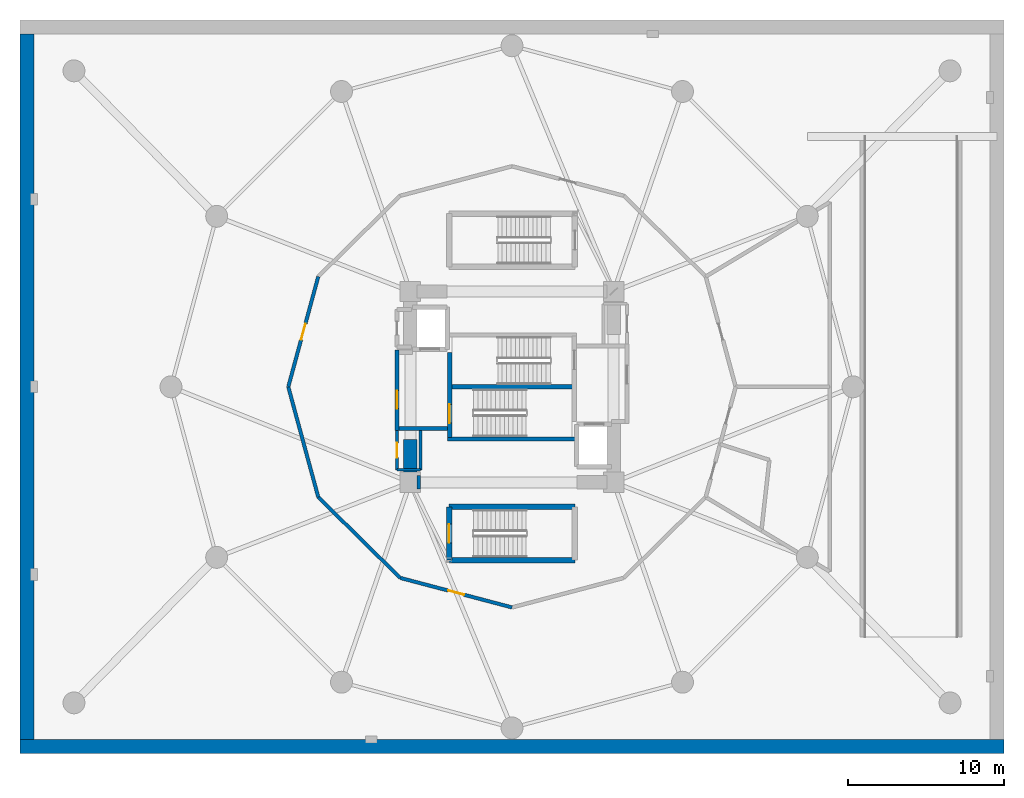
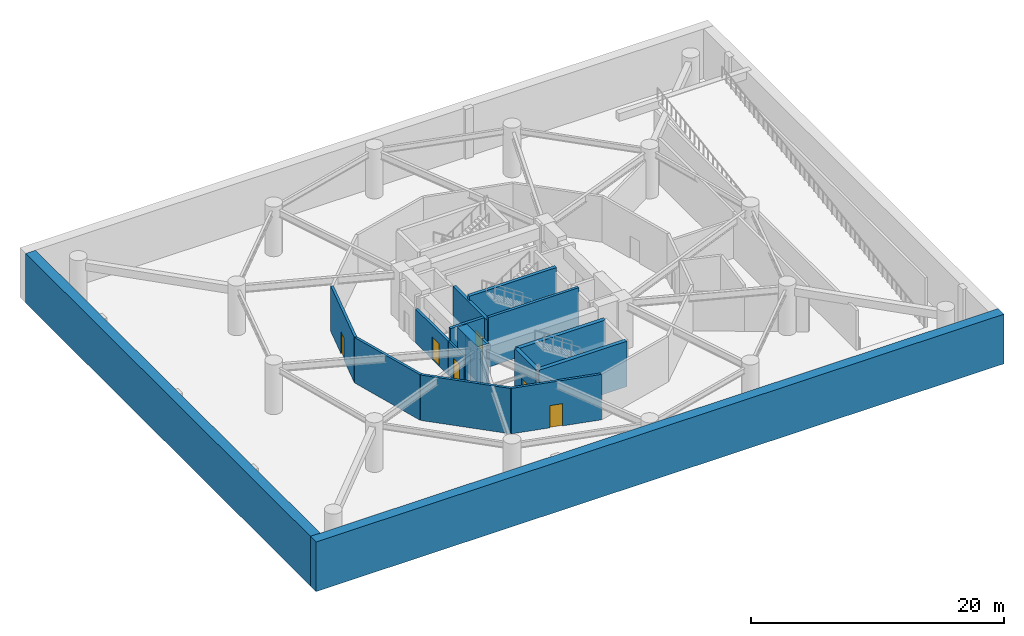
# One storey, part 6 of 10: 19 walls, 6 doors, 6 openings.
"""IFC4 building model written with IfcOpenShell, lengths in metres."""

from ifc_helpers import new_model, si_unit, direction, frame, frame_2d, origin, place, context, subcontext, project, spatial, rectangle, extrude, material, layer, layer_set, type_object, element, fill, save


model = new_model("IFC4")

# Units and contexts
model_context = context("Model", 3, precision=1e-05, world=origin(), true_north=direction((0.0, 1.0)))
body_context = subcontext(model_context, "Body", "Model", "MODEL_VIEW")
ifc_project = project(units=[si_unit("LENGTHUNIT", "METRE"), si_unit("AREAUNIT", "SQUARE_METRE"), si_unit("VOLUMEUNIT", "CUBIC_METRE"), si_unit("PLANEANGLEUNIT", "RADIAN"), si_unit("MASSUNIT", "GRAM", prefix="KILO")], contexts=[model_context])

# Site, building, storey
site_placement = place(None, origin())
site = spatial("IfcSite", under=ifc_project, at=site_placement, CompositionType="ELEMENT")
building_placement = place(site_placement, origin())
building = spatial("IfcBuilding", under=site, at=building_placement, Name="Solvirekh Grand Hotel", CompositionType="ELEMENT")
storey_placement = place(building_placement, frame((0.0, 0.0, -4.800048828125)))
storey = spatial("IfcBuildingStorey", under=building, at=storey_placement, Name="B01", CompositionType="ELEMENT", Elevation=-4.800048828125)

# Wall
ifc_material_1 = material(Name="Concrete C50/60", Category="concrete")
ifc_layer_1 = layer(ifc_material_1, 0.35009765625)
ifc_layer_set_1 = layer_set([ifc_layer_1], Name="Concrete C50/60")
wall_type_1 = type_object("IfcWallType", Name="CoreDivWall_RC350", PredefinedType="SOLIDWALL", material=ifc_layer_set_1)
wall_1_placement = place(storey_placement, frame((-4.1298828125, -3.324951171875, 0.0), z_axis=(0.0, 0.0, 1.0), x_axis=(1.0, 0.0, 0.0)))
element("IfcWall", 1, at=wall_1_placement, inside=storey, type_object=wall_type_1, Name="B01 core stair box wall ST-S", PredefinedType="SOLIDWALL", context=body_context, shape_type="SweptSolid", body=[
    extrude(rectangle(XDim=8.259765625, YDim=0.25, at=frame_2d((4.1298828125, 0.0))), origin(), (0.0, 0.0, 1.0), 4.800048828125),
])

# Wall, opening, door
wall_2_placement = place(storey_placement, frame((-4.02490234375, -11.074951171875, 0.0), z_axis=(0.0, 0.0, 1.0), x_axis=(0.0, 1.0, 0.0)))
wall_2 = element("IfcWall", 2, at=wall_2_placement, inside=storey, type_object=wall_type_1, Name="B01 podium stair ST-3 west landing wall", PredefinedType="SOLIDWALL", context=body_context, shape_type="SweptSolid", body=[
    extrude(rectangle(XDim=3.39990234375, YDim=0.35009765625, at=frame_2d((1.699951171875, 0.0))), origin(), (0.0, 0.0, 1.0), 4.39501953125),
])
opening_1_placement = place(wall_2_placement, frame((1.10009765625, 0.0, 0.0)))
opening_1 = element("IfcOpeningElement", 3, at=opening_1_placement, cuts=wall_2, Name="Opening D05", PredefinedType="OPENING", context=body_context, shape_type="SweptSolid", body=[
    extrude(rectangle(XDim=1.199951171875, YDim=2.199951171875, at=frame_2d((0.60009765625, 1.10009765625))), frame((0.0, 0.18505859375, 0.0), z_axis=(0.0, -1.0, 0.0), x_axis=(1.0, 0.0, 0.0)), (0.0, 0.0, 1.0), 0.3701171875),
])
ifc_material_2 = material(Name="Fire-Rated Steel Door Assembly", Category="steel")
door_type_1 = type_object("IfcDoorType", Name="Door_StairCore_1200X2200", OperationType="NOTDEFINED", PredefinedType="DOOR", material=ifc_material_2)
door_1_placement = place(opening_1_placement, origin())
door_1 = element("IfcDoor", 4, at=door_1_placement, inside=storey, type_object=door_type_1, Name="B01 podium stair ST-3 fire door", OperationType="SINGLE_SWING_RIGHT", OverallHeight=2.199951171875, OverallWidth=1.199951171875, PredefinedType="DOOR", context=body_context, shape_type="SweptSolid", body=[
    extrude(rectangle(XDim=1.199951171875, YDim=2.199951171875, at=frame_2d((0.60009765625, 1.10009765625))), frame((0.0, 0.02490234375, 0.0), z_axis=(0.0, -1.0, 0.0), x_axis=(1.0, 0.0, 0.0)), (0.0, 0.0, 1.0), 0.050048828125),
])
fill(opening_1, door_1)

# Walls
for number, where, z_axis, x_axis, name in (
    (5, (-4.02490234375, -11.074951171875, 0.0), (0.0, 0.0, 1.0), (1.0, 0.0, 0.0), "B01 podium stair ST-3 S enclosure wall"),
    (6, (4.02490234375, -7.675048828125, 0.0), (0.0, 0.0, 1.0), (-1.0, 0.0, 0.0), "B01 podium stair ST-3 N enclosure wall"),
):
    element("IfcWall", number, at=place(storey_placement, frame(where, z_axis=z_axis, x_axis=x_axis)), inside=storey, type_object=wall_type_1, Name=name, PredefinedType="SOLIDWALL", context=body_context, shape_type="SweptSolid", body=[
        extrude(rectangle(XDim=8.0498046875, YDim=0.35009765625, at=frame_2d((4.02490234375, 0.0))), origin(), (0.0, 0.0, 1.0), 4.39501953125),
    ])

# Wall, opening, door
ifc_material_3 = material(Name="Concrete C40/50", Category="concrete")
ifc_layer_2 = layer(ifc_material_3, 0.280029296875)
ifc_layer_set_2 = layer_set([ifc_layer_2], Name="Concrete C40/50")
wall_type_2 = type_object("IfcWallType", Name="CoreShaftWall_RC280", PredefinedType="SOLIDWALL", material=ifc_layer_set_2)
wall_3_placement = place(storey_placement, frame((-3.989990234375, -3.25, 0.0), z_axis=(0.0, 0.0, 1.0), x_axis=(0.0, 1.0, 0.0)))
wall_3 = element("IfcWall", 7, at=wall_3_placement, inside=storey, type_object=wall_type_2, Name="B01 west stair landing enclosure wall", PredefinedType="SOLIDWALL", context=body_context, shape_type="SweptSolid", body=[
    extrude(rectangle(XDim=5.4599609375, YDim=0.280029296875, at=frame_2d((2.72998046875, 0.0))), origin(), (0.0, 0.0, 1.0), 4.39501953125),
])
opening_2_placement = place(wall_3_placement, frame((0.93701171875, 0.0, 0.0)))
opening_2 = element("IfcOpeningElement", 8, at=opening_2_placement, cuts=wall_3, Name="Opening D05", PredefinedType="OPENING", context=body_context, shape_type="SweptSolid", body=[
    extrude(rectangle(XDim=1.199951171875, YDim=2.199951171875, at=frame_2d((0.60009765625, 1.10009765625))), frame((0.0, 0.14990234375, 0.0), z_axis=(0.0, -1.0, 0.0), x_axis=(1.0, 0.0, 0.0)), (0.0, 0.0, 1.0), 0.300048828125),
])
door_2_placement = place(opening_2_placement, origin())
door_2 = element("IfcDoor", 9, at=door_2_placement, inside=storey, type_object=door_type_1, Name="B01 exit stair ST-1 fire door", OperationType="SINGLE_SWING_RIGHT", OverallHeight=2.199951171875, OverallWidth=1.199951171875, PredefinedType="DOOR", context=body_context, shape_type="SweptSolid", body=[
    extrude(rectangle(XDim=1.199951171875, YDim=2.199951171875, at=frame_2d((0.60009765625, 1.10009765625))), frame((0.0, 0.02490234375, 0.0), z_axis=(0.0, -1.0, 0.0), x_axis=(1.0, 0.0, 0.0)), (0.0, 0.0, 1.0), 0.050048828125),
])
fill(opening_2, door_2)

# Walls
ifc_material_4 = material(Name="Concrete C60/75", Category="concrete")
ifc_layer_3 = layer(ifc_material_4, 0.85009765625)
ifc_layer_set_3 = layer_set([ifc_layer_3], Name="Concrete C60/75")
wall_type_3 = type_object("IfcWallType", Name="CoreWall_RC850", PredefinedType="SHEAR", material=ifc_layer_set_3)
wall_4_placement = place(storey_placement, frame((-3.989990234375, 0.0, 0.0), z_axis=(0.0, 0.0, 1.0), x_axis=(1.0, 0.0, 0.0)))
element("IfcWall", 10, at=wall_4_placement, inside=storey, type_object=wall_type_3, Name="B01 central stair-spine shear wall", PredefinedType="SHEAR", context=body_context, shape_type="SweptSolid", body=[
    extrude(rectangle(XDim=7.97998046875, YDim=0.300048828125, at=frame_2d((3.989990234375, 0.0))), origin(), (0.0, 0.0, 1.0), 4.800048828125),
])
wall_5_placement = place(storey_placement, frame((-6.074951171875, -6.10009765625, 0.0), z_axis=(0.0, 0.0, 1.0), x_axis=(1.0, 0.0, 0.0)))
element("IfcWall", 11, at=wall_5_placement, inside=storey, type_object=wall_type_3, Name="B01 core corner shear wall SW-S", PredefinedType="SHEAR", context=body_context, shape_type="SweptSolid", body=[
    extrude(rectangle(XDim=0.224853515625, YDim=0.85009765625, at=frame_2d((0.1123046875, 0.0))), origin(), (0.0, 0.0, 1.0), 4.800048828125),
])
wall_6_placement = place(storey_placement, frame((-6.5, -6.52490234375, 0.0), z_axis=(0.0, 0.0, 1.0), x_axis=(0.0, 1.0, 0.0)))
element("IfcWall", 12, at=wall_6_placement, inside=storey, type_object=wall_type_3, Name="B01 core corner shear wall WS-W", PredefinedType="SHEAR", context=body_context, shape_type="SweptSolid", body=[
    extrude(rectangle(XDim=3.1748046875, YDim=0.85009765625, at=frame_2d((1.58740234375, 0.0))), origin(), (0.0, 0.0, 1.0), 4.800048828125),
])
ifc_material_5 = material(Name="Acoustic Gypsum Partition Assembly")
ifc_layer_4 = layer(ifc_material_5, 0.1650390625)
ifc_layer_set_4 = layer_set([ifc_layer_4], Name="Acoustic Gypsum Partition Assembly")
wall_type_4 = type_object("IfcWallType", Name="Part_BOH_165", PredefinedType="PARTITIONING", material=ifc_layer_set_4)
wall_7_placement = place(storey_placement, frame((-7.35009765625, -5.300048828125, 0.0), z_axis=(0.0, 0.0, 1.0), x_axis=(1.0, 0.0, 0.0)))
element("IfcWall", 13, at=wall_7_placement, inside=storey, type_object=wall_type_4, Name="B01 B01 Core Linen Store wall 1", PredefinedType="PARTITIONING", context=body_context, shape_type="SweptSolid", body=[
    extrude(rectangle(XDim=1.5, YDim=0.1650390625, at=frame_2d((0.75, 0.0))), origin(), (0.0, 0.0, 1.0), 3.280029296875),
])
wall_8_placement = place(storey_placement, frame((-5.85009765625, -5.300048828125, 0.0), z_axis=(0.0, 0.0, 1.0), x_axis=(0.0, 1.0, 0.0)))
element("IfcWall", 14, at=wall_8_placement, inside=storey, type_object=wall_type_4, Name="B01 B01 Core Linen Store wall 2", PredefinedType="PARTITIONING", context=body_context, shape_type="SweptSolid", body=[
    extrude(rectangle(XDim=2.5, YDim=0.1650390625, at=frame_2d((1.25, 0.0))), origin(), (0.0, 0.0, 1.0), 3.280029296875),
])

# Wall, opening, door
wall_9_placement = place(storey_placement, frame((-7.35009765625, -2.800048828125, 0.0), z_axis=(0.0, 0.0, 1.0), x_axis=(0.0, -1.0, 0.0)))
wall_9 = element("IfcWall", 15, at=wall_9_placement, inside=storey, type_object=wall_type_4, Name="B01 B01 Core Linen Store wall 4", PredefinedType="PARTITIONING", context=body_context, shape_type="SweptSolid", body=[
    extrude(rectangle(XDim=2.5, YDim=0.1650390625, at=frame_2d((1.25, 0.0))), origin(), (0.0, 0.0, 1.0), 3.280029296875),
])
opening_3_placement = place(wall_9_placement, frame((0.77490234375, 0.0, 0.0)))
opening_3 = element("IfcOpeningElement", 16, at=opening_3_placement, cuts=wall_9, Name="Opening D10", PredefinedType="OPENING", context=body_context, shape_type="SweptSolid", body=[
    extrude(rectangle(XDim=0.949951171875, YDim=2.10009765625, at=frame_2d((0.47509765625, 1.050048828125))), frame((0.0, 0.092529296875, 0.0), z_axis=(0.0, -1.0, 0.0), x_axis=(1.0, 0.0, 0.0)), (0.0, 0.0, 1.0), 0.18505859375),
])
ifc_material_6 = material(Name="Anodized Bronze Aluminium 6063-T6", Category="aluminium")
door_type_2 = type_object("IfcDoorType", Name="Door_RoomInt_950X2100", OperationType="NOTDEFINED", PredefinedType="DOOR", material=ifc_material_6)
door_3_placement = place(opening_3_placement, origin())
door_3 = element("IfcDoor", 17, at=door_3_placement, inside=storey, type_object=door_type_2, Name="B01 B01 Core Linen Store door", OperationType="SINGLE_SWING_LEFT", OverallHeight=2.10009765625, OverallWidth=0.949951171875, PredefinedType="DOOR", context=body_context, shape_type="SweptSolid", body=[
    extrude(rectangle(XDim=0.949951171875, YDim=2.10009765625, at=frame_2d((0.47509765625, 1.050048828125))), frame((0.0, 0.02490234375, 0.0), z_axis=(0.0, -1.0, 0.0), x_axis=(1.0, 0.0, 0.0)), (0.0, 0.0, 1.0), 0.050048828125),
])
fill(opening_3, door_3)

ifc_layer_5 = layer(ifc_material_5, 0.239990234375)
ifc_layer_set_5 = layer_set([ifc_layer_5], Name="Acoustic Gypsum Partition Assembly")
wall_type_5 = type_object("IfcWallType", Name="Part_Corridor_240", PredefinedType="PARTITIONING", material=ifc_layer_set_5)
wall_10_placement = place(storey_placement, frame((-7.35009765625, -2.780029296875, 0.0), z_axis=(0.0, 0.0, 1.0), x_axis=(0.0, 1.0, 0.0)))
wall_10 = element("IfcWall", 18, at=wall_10_placement, inside=storey, type_object=wall_type_5, Name="B01 west firefighting lobby smoke screen wall", PredefinedType="PARTITIONING", context=body_context, shape_type="SweptSolid", body=[
    extrude(rectangle(XDim=5.1201171875, YDim=0.239990234375, at=frame_2d((2.56005859375, 0.0))), origin(), (0.0, 0.0, 1.0), 3.280029296875),
])
opening_4_placement = place(wall_10_placement, frame((1.388916015625, 0.0, 0.0)))
opening_4 = element("IfcOpeningElement", 19, at=opening_4_placement, cuts=wall_10, Name="Opening D06", PredefinedType="OPENING", context=body_context, shape_type="SweptSolid", body=[
    extrude(rectangle(XDim=1.14990234375, YDim=2.199951171875, at=frame_2d((0.574951171875, 1.10009765625))), frame((0.0, 0.1298828125, 0.0), z_axis=(0.0, -1.0, 0.0), x_axis=(1.0, 0.0, 0.0)), (0.0, 0.0, 1.0), 0.260009765625),
])
door_type_3 = type_object("IfcDoorType", Name="Door_FFLobby_1150X2200", OperationType="NOTDEFINED", PredefinedType="DOOR", material=ifc_material_2)
door_4_placement = place(opening_4_placement, origin())
door_4 = element("IfcDoor", 20, at=door_4_placement, inside=storey, type_object=door_type_3, Name="B01 west firefighting lobby smoke door", OperationType="SINGLE_SWING_RIGHT", OverallHeight=2.199951171875, OverallWidth=1.14990234375, PredefinedType="DOOR", context=body_context, shape_type="SweptSolid", body=[
    extrude(rectangle(XDim=1.14990234375, YDim=2.199951171875, at=frame_2d((0.574951171875, 1.10009765625))), frame((0.0, 0.02490234375, 0.0), z_axis=(0.0, -1.0, 0.0), x_axis=(1.0, 0.0, 0.0)), (0.0, 0.0, 1.0), 0.050048828125),
])
fill(opening_4, door_4)

# Wall
ifc_layer_6 = layer(ifc_material_5, 0.260009765625)
ifc_layer_set_6 = layer_set([ifc_layer_6], Name="Acoustic Gypsum Partition Assembly")
wall_type_6 = type_object("IfcWallType", Name="Part_LobbyFF_260", PredefinedType="PARTITIONING", material=ifc_layer_set_6)
wall_11_placement = place(storey_placement, frame((-7.22509765625, -2.64990234375, 0.0), z_axis=(0.0, 0.0, 1.0), x_axis=(1.0, 0.0, 0.0)))
element("IfcWall", 21, at=wall_11_placement, inside=storey, type_object=wall_type_6, Name="B01 west firefighting lobby south partition", PredefinedType="PARTITIONING", context=body_context, shape_type="SweptSolid", body=[
    extrude(rectangle(XDim=3.09521484375, YDim=0.260009765625, at=frame_2d((1.547607421875, 0.0))), origin(), (0.0, 0.0, 1.0), 4.39501953125),
])

# Wall, opening, door
ifc_material_7 = material(Name="Precast concrete C45/55", Category="concrete")
ifc_layer_7 = layer(ifc_material_7, 0.22509765625)
ifc_layer_set_7 = layer_set([ifc_layer_7], Name="Precast concrete C45/55")
wall_type_7 = type_object("IfcWallType", Name="Part_Plant_225", PredefinedType="PARTITIONING", material=ifc_layer_set_7)
wall_12_placement = place(storey_placement, frame((-12.384033203125, 7.050048828125, 0.0), z_axis=(0.0, 0.0, 1.0), x_axis=(-0.262260528785, -0.964997106235, 0.0)))
wall_12 = element("IfcWall", 22, at=wall_12_placement, inside=storey, type_object=wall_type_7, Name="B01 B01 West Car Park Aisle & Stalls entry wall", PredefinedType="PARTITIONING", context=body_context, shape_type="SweptSolid", body=[
    extrude(rectangle(XDim=7.3056640625, YDim=0.22509765625, at=frame_2d((3.65283203125, 0.0))), origin(), (0.0, 0.0, 1.0), 4.39501953125),
])
opening_5_placement = place(wall_12_placement, frame((3.1279296875, 0.0, 0.0)))
opening_5 = element("IfcOpeningElement", 23, at=opening_5_placement, cuts=wall_12, Name="Opening D12", PredefinedType="OPENING", context=body_context, shape_type="SweptSolid", body=[
    extrude(rectangle(XDim=1.050048828125, YDim=2.14990234375, at=frame_2d((0.52490234375, 1.074951171875))), frame((0.0, 0.12255859375, 0.0), z_axis=(0.0, -1.0, 0.0), x_axis=(1.0, 0.0, 0.0)), (0.0, 0.0, 1.0), 0.2451171875),
])
door_type_4 = type_object("IfcDoorType", Name="Door_PlantBOH_1050X2150", OperationType="NOTDEFINED", PredefinedType="DOOR", material=ifc_material_2)
door_5_placement = place(opening_5_placement, origin())
door_5 = element("IfcDoor", 24, at=door_5_placement, inside=storey, type_object=door_type_4, Name="B01 B01 West Car Park Aisle & Stalls door", OperationType="SINGLE_SWING_RIGHT", OverallHeight=2.14990234375, OverallWidth=1.050048828125, PredefinedType="DOOR", context=body_context, shape_type="SweptSolid", body=[
    extrude(rectangle(XDim=1.050048828125, YDim=2.14990234375, at=frame_2d((0.52490234375, 1.074951171875))), frame((0.0, 0.02490234375, 0.0), z_axis=(0.0, -1.0, 0.0), x_axis=(1.0, 0.0, 0.0)), (0.0, 0.0, 1.0), 0.050048828125),
])
fill(opening_5, door_5)

# Wall
wall_13_placement = place(storey_placement, frame((-14.300048828125, 0.0, 0.0), z_axis=(0.0, 0.0, 1.0), x_axis=(0.262260528785, -0.964997106235, 0.0)))
element("IfcWall", 25, at=wall_13_placement, inside=storey, type_object=wall_type_7, Name="B01 B01 West Car Park Aisle & Stalls corridor fire wall 1", PredefinedType="PARTITIONING", context=body_context, shape_type="SweptSolid", body=[
    extrude(rectangle(XDim=7.3056640625, YDim=0.22509765625, at=frame_2d((3.65283203125, 0.0))), origin(), (0.0, 0.0, 1.0), 4.39501953125),
])

# Wall, opening, door
wall_14_placement = place(storey_placement, frame((-7.14990234375, -12.2109375, 0.0), z_axis=(0.0, 0.0, 1.0), x_axis=(0.966820901533, -0.255455170937, 0.0)))
wall_14 = element("IfcWall", 26, at=wall_14_placement, inside=storey, type_object=wall_type_7, Name="B01 B01 South Car Park & Charging Bays entry wall", PredefinedType="PARTITIONING", context=body_context, shape_type="SweptSolid", body=[
    extrude(rectangle(XDim=7.395263671875, YDim=0.22509765625, at=frame_2d((3.69775390625, 0.0))), origin(), (0.0, 0.0, 1.0), 4.39501953125),
])
opening_6_placement = place(wall_14_placement, frame((3.173095703125, 0.0, 0.0)))
opening_6 = element("IfcOpeningElement", 27, at=opening_6_placement, cuts=wall_14, Name="Opening D12", PredefinedType="OPENING", context=body_context, shape_type="SweptSolid", body=[
    extrude(rectangle(XDim=1.050048828125, YDim=2.14990234375, at=frame_2d((0.52490234375, 1.074951171875))), frame((0.0, 0.12255859375, 0.0), z_axis=(0.0, -1.0, 0.0), x_axis=(1.0, 0.0, 0.0)), (0.0, 0.0, 1.0), 0.2451171875),
])
door_6_placement = place(opening_6_placement, origin())
door_6 = element("IfcDoor", 28, at=door_6_placement, inside=storey, type_object=door_type_4, Name="B01 B01 South Car Park & Charging Bays door", OperationType="SINGLE_SWING_LEFT", OverallHeight=2.14990234375, OverallWidth=1.050048828125, PredefinedType="DOOR", context=body_context, shape_type="SweptSolid", body=[
    extrude(rectangle(XDim=1.050048828125, YDim=2.14990234375, at=frame_2d((0.52490234375, 1.074951171875))), frame((0.0, 0.02490234375, 0.0), z_axis=(0.0, -1.0, 0.0), x_axis=(1.0, 0.0, 0.0)), (0.0, 0.0, 1.0), 0.050048828125),
])
fill(opening_6, door_6)

# Walls
wall_15_placement = place(storey_placement, frame((-12.384033203125, -7.050048828125, 0.0), z_axis=(0.0, 0.0, 1.0), x_axis=(0.712071304345, -0.702107155303, 0.0)))
element("IfcWall", 29, at=wall_15_placement, inside=storey, type_object=wall_type_7, Name="B01 B01 South Car Park & Charging Bays corridor fire wall 1", PredefinedType="PARTITIONING", context=body_context, shape_type="SweptSolid", body=[
    extrude(rectangle(XDim=7.3505859375, YDim=0.22509765625, at=frame_2d((3.67529296875, 0.0))), origin(), (0.0, 0.0, 1.0), 4.39501953125),
])
ifc_layer_8 = layer(ifc_material_1, 0.89990234375)
ifc_layer_set_8 = layer_set([ifc_layer_8], Name="Concrete C50/60")
wall_type_8 = type_object("IfcWallType", Name="RetainingWall_RC900", PredefinedType="SHEAR", material=ifc_layer_set_8)
wall_16_placement = place(storey_placement, frame((-31.449951171875, -23.0, 0.0), z_axis=(0.0, 0.0, 1.0), x_axis=(1.0, 0.0, 0.0)))
element("IfcWall", 30, at=wall_16_placement, inside=storey, type_object=wall_type_8, Name="B01 S perimeter retaining wall", PredefinedType="SHEAR", context=body_context, shape_type="SweptSolid", body=[
    extrude(rectangle(XDim=62.89990234375, YDim=0.89990234375, at=frame_2d((31.449951171875, 0.0))), origin(), (0.0, 0.0, 1.0), 4.800048828125),
])
wall_17_placement = place(storey_placement, frame((-31.0, 22.550048828125, 0.0), z_axis=(0.0, 0.0, 1.0), x_axis=(0.0, -1.0, 0.0)))
element("IfcWall", 31, at=wall_17_placement, inside=storey, type_object=wall_type_8, Name="B01 W perimeter retaining wall", PredefinedType="SHEAR", context=body_context, shape_type="SweptSolid", body=[
    extrude(rectangle(XDim=45.10009765625, YDim=0.89990234375, at=frame_2d((22.550048828125, 0.0))), origin(), (0.0, 0.0, 1.0), 4.800048828125),
])

save(model, "model.ifc")
